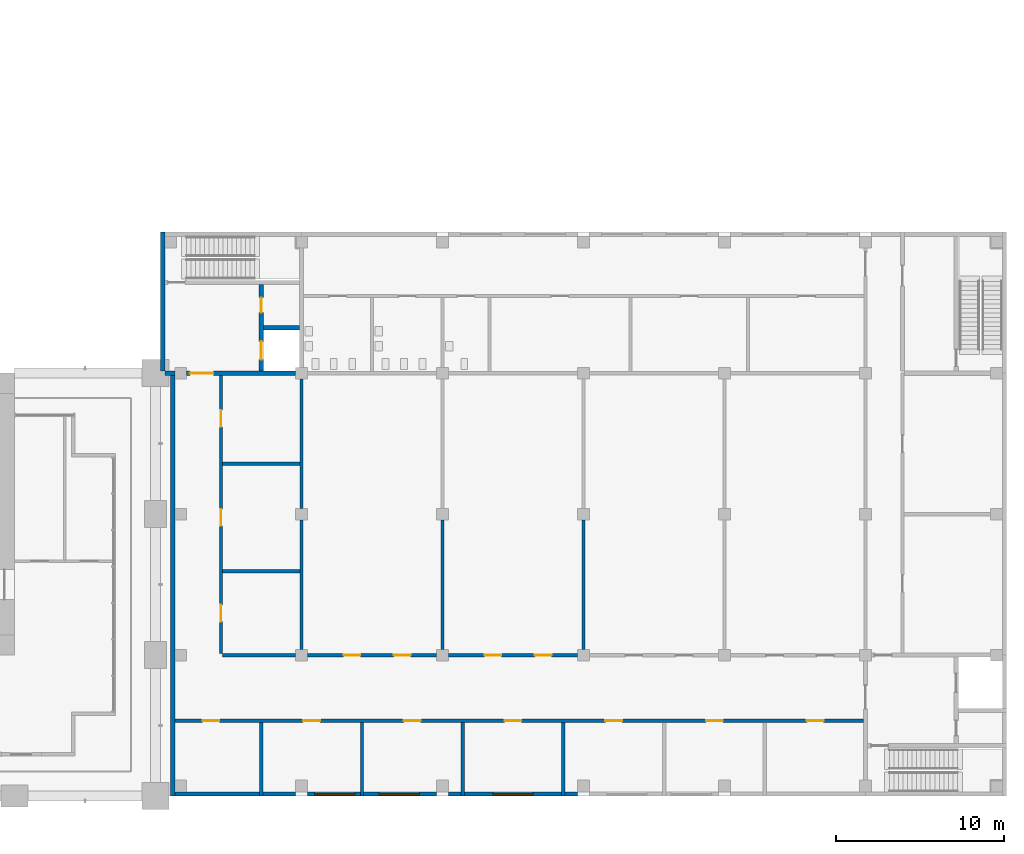
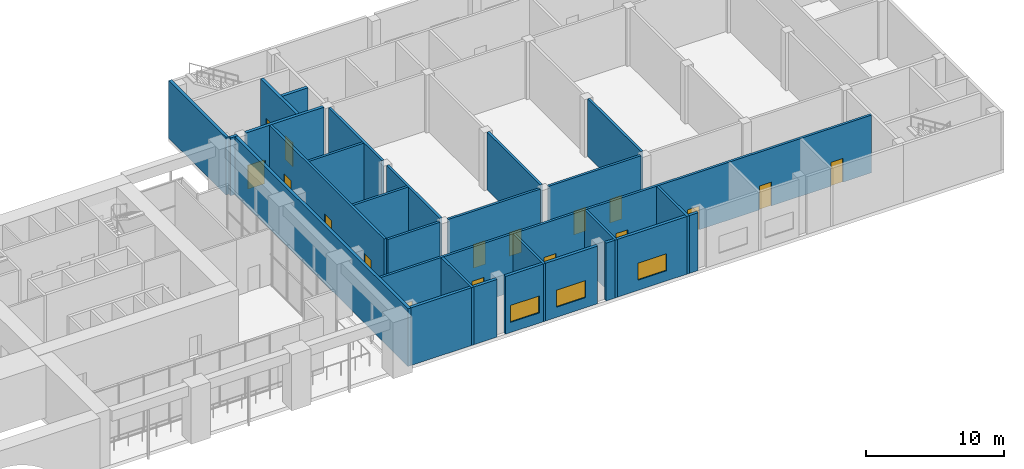
# One storey, part 14 of 26: 24 walls, 17 doors, 3 windows, 20 openings.
"""IFC4 building model written with IfcOpenShell, lengths in metres."""

from ifc_helpers import new_model, si_unit, direction, frame, frame_2d, origin, place, context, subcontext, project, spatial, rectangle, extrude, material, layer, layer_set, type_object, element, fill, save


model = new_model("IFC4")

# Units and contexts
model_context = context("Model", 3, precision=1e-05, world=origin(), true_north=direction((0.0, 1.0)))
body_context = subcontext(model_context, "Body", "Model", "MODEL_VIEW")
ifc_project = project(units=[si_unit("LENGTHUNIT", "METRE"), si_unit("AREAUNIT", "SQUARE_METRE"), si_unit("VOLUMEUNIT", "CUBIC_METRE"), si_unit("PLANEANGLEUNIT", "RADIAN"), si_unit("MASSUNIT", "GRAM", prefix="KILO")], contexts=[model_context])

# Site, building, storey
site_placement = place(None, origin())
site = spatial("IfcSite", under=ifc_project, at=site_placement, CompositionType="ELEMENT")
building_placement = place(site_placement, origin())
building = spatial("IfcBuilding", under=site, at=building_placement, Name="Vermilion Gate Residences", CompositionType="ELEMENT")
storey_placement = place(building_placement, frame((0.0, 0.0, 9.0)))
storey = spatial("IfcBuildingStorey", under=building, at=storey_placement, Name="L01", CompositionType="ELEMENT", Elevation=9.0)

# Wall
ifc_material_1 = material(Name="Insulated masonry", Category="masonry")
ifc_layer_1 = layer(ifc_material_1, 0.25)
ifc_layer_set_1 = layer_set([ifc_layer_1], Name="EXTERNAL WALL 250 MASONRY (MARKET HALL)")
wall_type_1 = type_object("IfcWallType", Name="EXTERNAL WALL 250 MASONRY (MARKET HALL)", PredefinedType="SOLIDWALL", material=ifc_layer_set_1)
wall_1_placement = place(storey_placement, frame((68.35009765625, 0.125, 0.0), z_axis=(0.0, 0.0, 1.0), x_axis=(1.0, 0.0, 0.0)))
element("IfcWall", 1, at=wall_1_placement, inside=storey, type_object=wall_type_1, Name="External wall L01-1", PredefinedType="SOLIDWALL", context=body_context, shape_type="SweptSolid", body=[
    extrude(rectangle(XDim=7.199951171875, YDim=0.25, at=frame_2d((3.60009765625, 0.0))), origin(), (0.0, 0.0, 1.0), 5.10009765625),
])

# Wall, openings, windows
wall_2_placement = place(storey_placement, frame((76.25, 0.125, 0.0), z_axis=(0.0, 0.0, 1.0), x_axis=(1.0, 0.0, 0.0)))
wall_2 = element("IfcWall", 2, at=wall_2_placement, inside=storey, type_object=wall_type_1, Name="External wall L01-2", PredefinedType="SOLIDWALL", context=body_context, shape_type="SweptSolid", body=[
    extrude(rectangle(XDim=7.699951171875, YDim=0.25, at=frame_2d((3.85009765625, 0.0))), origin(), (0.0, 0.0, 1.0), 5.10009765625),
])
opening_1_placement = place(wall_2_placement, frame((0.425048828125, 0.0, 0.89990234375)))
opening_1 = element("IfcOpeningElement", 3, at=opening_1_placement, cuts=wall_2, Name="Opening WH01001", PredefinedType="OPENING", context=body_context, shape_type="SweptSolid", body=[
    extrude(rectangle(XDim=2.39990234375, YDim=1.5, at=frame_2d((1.199951171875, 0.75))), frame((0.0, 0.135009765625, 0.0), z_axis=(0.0, -1.0, 0.0), x_axis=(1.0, 0.0, 0.0)), (0.0, 0.0, 1.0), 0.27001953125),
])
opening_2_placement = place(wall_2_placement, frame((4.27490234375, 0.0, 0.89990234375)))
opening_2 = element("IfcOpeningElement", 4, at=opening_2_placement, cuts=wall_2, Name="Opening WH01002", PredefinedType="OPENING", context=body_context, shape_type="SweptSolid", body=[
    extrude(rectangle(XDim=2.39990234375, YDim=1.5, at=frame_2d((1.199951171875, 0.75))), frame((0.0, 0.135009765625, 0.0), z_axis=(0.0, -1.0, 0.0), x_axis=(1.0, 0.0, 0.0)), (0.0, 0.0, 1.0), 0.27001953125),
])
ifc_material_2 = material(Name="Aluminium and glass", Category="aluminium")
window_type = type_object("IfcWindowType", Name="WINDOW 2400 X 1500 (MARKET HALL)", PartitioningType="DOUBLE_PANEL_VERTICAL", PredefinedType="WINDOW", material=ifc_material_2)
window_1_placement = place(opening_1_placement, origin())
window_1 = element("IfcWindow", 5, at=window_1_placement, inside=storey, type_object=window_type, Name="Window WH01001", OverallHeight=1.5, OverallWidth=2.39990234375, PartitioningType="DOUBLE_PANEL_VERTICAL", PredefinedType="WINDOW", context=body_context, shape_type="SweptSolid", body=[
    extrude(rectangle(XDim=2.39990234375, YDim=1.5, at=frame_2d((1.199951171875, 0.75))), frame((0.0, 0.030029296875, 0.0), z_axis=(0.0, -1.0, 0.0), x_axis=(1.0, 0.0, 0.0)), (0.0, 0.0, 1.0), 0.06005859375),
])
fill(opening_1, window_1)
window_2_placement = place(opening_2_placement, origin())
window_2 = element("IfcWindow", 6, at=window_2_placement, inside=storey, type_object=window_type, Name="Window WH01002", OverallHeight=1.5, OverallWidth=2.39990234375, PartitioningType="DOUBLE_PANEL_VERTICAL", PredefinedType="WINDOW", context=body_context, shape_type="SweptSolid", body=[
    extrude(rectangle(XDim=2.39990234375, YDim=1.5, at=frame_2d((1.199951171875, 0.75))), frame((0.0, 0.030029296875, 0.0), z_axis=(0.0, -1.0, 0.0), x_axis=(1.0, 0.0, 0.0)), (0.0, 0.0, 1.0), 0.06005859375),
])
fill(opening_2, window_2)

# Wall, opening, window
wall_3_placement = place(storey_placement, frame((84.64990234375, 0.125, 0.0), z_axis=(0.0, 0.0, 1.0), x_axis=(1.0, 0.0, 0.0)))
wall_3 = element("IfcWall", 7, at=wall_3_placement, inside=storey, type_object=wall_type_1, Name="External wall L01-3", PredefinedType="SOLIDWALL", context=body_context, shape_type="SweptSolid", body=[
    extrude(rectangle(XDim=7.7001953125, YDim=0.25, at=frame_2d((3.85009765625, 0.0))), origin(), (0.0, 0.0, 1.0), 5.10009765625),
])
opening_3_placement = place(wall_3_placement, frame((2.64990234375, 0.0, 0.89990234375)))
opening_3 = element("IfcOpeningElement", 8, at=opening_3_placement, cuts=wall_3, Name="Opening WH01003", PredefinedType="OPENING", context=body_context, shape_type="SweptSolid", body=[
    extrude(rectangle(XDim=2.39990234375, YDim=1.5, at=frame_2d((1.199951171875, 0.75))), frame((0.0, 0.135009765625, 0.0), z_axis=(0.0, -1.0, 0.0), x_axis=(1.0, 0.0, 0.0)), (0.0, 0.0, 1.0), 0.27001953125),
])
window_3_placement = place(opening_3_placement, origin())
window_3 = element("IfcWindow", 9, at=window_3_placement, inside=storey, type_object=window_type, Name="Window WH01003", OverallHeight=1.5, OverallWidth=2.39990234375, PartitioningType="DOUBLE_PANEL_VERTICAL", PredefinedType="WINDOW", context=body_context, shape_type="SweptSolid", body=[
    extrude(rectangle(XDim=2.39990234375, YDim=1.5, at=frame_2d((1.199951171875, 0.75))), frame((0.0, 0.030029296875, 0.0), z_axis=(0.0, -1.0, 0.0), x_axis=(1.0, 0.0, 0.0)), (0.0, 0.0, 1.0), 0.06005859375),
])
fill(opening_3, window_3)

# Wall
wall_4_placement = place(storey_placement, frame((68.22509765625, 0.0, 0.0), z_axis=(0.0, 0.0, 1.0), x_axis=(0.0, 1.0, 0.0)))
element("IfcWall", 10, at=wall_4_placement, inside=storey, type_object=wall_type_1, Name="External wall L01-37", PredefinedType="SOLIDWALL", context=body_context, shape_type="SweptSolid", body=[
    extrude(rectangle(XDim=25.074951171875, YDim=0.25, at=frame_2d((12.53759765625, 0.0))), origin(), (0.0, 0.0, 1.0), 5.10009765625),
])

# Wall, openings, doors
ifc_material_3 = material(Name="Masonry", Category="masonry")
ifc_layer_2 = layer(ifc_material_3, 0.199951171875)
ifc_layer_set_2 = layer_set([ifc_layer_2], Name="PARTITION 200 MASONRY EI 60 (MARKET HALL)")
wall_type_2 = type_object("IfcWallType", Name="PARTITION 200 MASONRY EI 60 (MARKET HALL)", PredefinedType="PARTITIONING", material=ifc_layer_set_2)
wall_5_placement = place(storey_placement, frame((68.35009765625, 4.5, 0.0), z_axis=(0.0, 0.0, 1.0), x_axis=(1.0, 0.0, 0.0)))
wall_5 = element("IfcWall", 11, at=wall_5_placement, inside=storey, type_object=wall_type_2, Name="Partition wall L01-8", PredefinedType="PARTITIONING", context=body_context, shape_type="SweptSolid", body=[
    extrude(rectangle(XDim=41.02490234375, YDim=0.199951171875, at=frame_2d((20.512451171875, 0.0))), origin(), (0.0, 0.0, 1.0), 5.10009765625),
])
opening_4_placement = place(wall_5_placement, frame((1.64990234375, 0.0, 0.0)))
opening_4 = element("IfcOpeningElement", 12, at=opening_4_placement, cuts=wall_5, Name="Opening DH01002", PredefinedType="OPENING", context=body_context, shape_type="SweptSolid", body=[
    extrude(rectangle(XDim=1.0, YDim=2.10009765625, at=frame_2d((0.5, 1.050048828125))), frame((0.0, 0.10986328125, 0.0), z_axis=(0.0, -1.0, 0.0), x_axis=(1.0, 0.0, 0.0)), (0.0, 0.0, 1.0), 0.219970703125),
])
opening_5_placement = place(wall_5_placement, frame((7.64990234375, 0.0, 0.0)))
opening_5 = element("IfcOpeningElement", 13, at=opening_5_placement, cuts=wall_5, Name="Opening DH01003", PredefinedType="OPENING", context=body_context, shape_type="SweptSolid", body=[
    extrude(rectangle(XDim=1.0, YDim=2.10009765625, at=frame_2d((0.5, 1.050048828125))), frame((0.0, 0.10986328125, 0.0), z_axis=(0.0, -1.0, 0.0), x_axis=(1.0, 0.0, 0.0)), (0.0, 0.0, 1.0), 0.219970703125),
])
opening_6_placement = place(wall_5_placement, frame((13.64990234375, 0.0, 0.0)))
opening_6 = element("IfcOpeningElement", 14, at=opening_6_placement, cuts=wall_5, Name="Opening DH01004", PredefinedType="OPENING", context=body_context, shape_type="SweptSolid", body=[
    extrude(rectangle(XDim=1.0, YDim=2.10009765625, at=frame_2d((0.5, 1.050048828125))), frame((0.0, 0.10986328125, 0.0), z_axis=(0.0, -1.0, 0.0), x_axis=(1.0, 0.0, 0.0)), (0.0, 0.0, 1.0), 0.219970703125),
])
opening_7_placement = place(wall_5_placement, frame((19.64990234375, 0.0, 0.0)))
opening_7 = element("IfcOpeningElement", 15, at=opening_7_placement, cuts=wall_5, Name="Opening DH01005", PredefinedType="OPENING", context=body_context, shape_type="SweptSolid", body=[
    extrude(rectangle(XDim=1.0, YDim=2.10009765625, at=frame_2d((0.5, 1.050048828125))), frame((0.0, 0.10986328125, 0.0), z_axis=(0.0, -1.0, 0.0), x_axis=(1.0, 0.0, 0.0)), (0.0, 0.0, 1.0), 0.219970703125),
])
opening_8_placement = place(wall_5_placement, frame((25.64990234375, 0.0, 0.0)))
opening_8 = element("IfcOpeningElement", 16, at=opening_8_placement, cuts=wall_5, Name="Opening DH01006", PredefinedType="OPENING", context=body_context, shape_type="SweptSolid", body=[
    extrude(rectangle(XDim=1.0, YDim=2.10009765625, at=frame_2d((0.5, 1.050048828125))), frame((0.0, 0.10986328125, 0.0), z_axis=(0.0, -1.0, 0.0), x_axis=(1.0, 0.0, 0.0)), (0.0, 0.0, 1.0), 0.219970703125),
])
opening_9_placement = place(wall_5_placement, frame((31.64990234375, 0.0, 0.0)))
opening_9 = element("IfcOpeningElement", 17, at=opening_9_placement, cuts=wall_5, Name="Opening DH01007", PredefinedType="OPENING", context=body_context, shape_type="SweptSolid", body=[
    extrude(rectangle(XDim=1.0, YDim=2.10009765625, at=frame_2d((0.5, 1.050048828125))), frame((0.0, 0.10986328125, 0.0), z_axis=(0.0, -1.0, 0.0), x_axis=(1.0, 0.0, 0.0)), (0.0, 0.0, 1.0), 0.219970703125),
])
opening_10_placement = place(wall_5_placement, frame((37.64990234375, 0.0, 0.0)))
opening_10 = element("IfcOpeningElement", 18, at=opening_10_placement, cuts=wall_5, Name="Opening DH01008", PredefinedType="OPENING", context=body_context, shape_type="SweptSolid", body=[
    extrude(rectangle(XDim=1.0, YDim=2.10009765625, at=frame_2d((0.5, 1.050048828125))), frame((0.0, 0.10986328125, 0.0), z_axis=(0.0, -1.0, 0.0), x_axis=(1.0, 0.0, 0.0)), (0.0, 0.0, 1.0), 0.219970703125),
])
ifc_material_4 = material(Name="Steel", Category="steel")
door_type_1 = type_object("IfcDoorType", Name="FIRE DOOR FD30 1000 X 2100 (MARKET HALL)", OperationType="SINGLE_SWING_LEFT", PredefinedType="DOOR", material=ifc_material_4)
door_1_placement = place(opening_4_placement, frame((1.0, 0.0, 0.0), z_axis=(0.0, 0.0, 1.0), x_axis=(-1.0, 0.0, 0.0)))
door_1 = element("IfcDoor", 19, at=door_1_placement, inside=storey, type_object=door_type_1, Name="Fire door DH01002", OperationType="SINGLE_SWING_RIGHT", OverallHeight=2.10009765625, OverallWidth=1.0, PredefinedType="DOOR", context=body_context, shape_type="SweptSolid", body=[
    extrude(rectangle(XDim=1.0, YDim=2.10009765625, at=frame_2d((0.5, 1.050048828125))), frame((0.0, 0.02490234375, 0.0), z_axis=(0.0, -1.0, 0.0), x_axis=(1.0, 0.0, 0.0)), (0.0, 0.0, 1.0), 0.050048828125),
])
fill(opening_4, door_1)
door_2_placement = place(opening_5_placement, frame((1.0, 0.0, 0.0), z_axis=(0.0, 0.0, 1.0), x_axis=(-1.0, 0.0, 0.0)))
door_2 = element("IfcDoor", 20, at=door_2_placement, inside=storey, type_object=door_type_1, Name="Fire door DH01003", OperationType="SINGLE_SWING_RIGHT", OverallHeight=2.10009765625, OverallWidth=1.0, PredefinedType="DOOR", context=body_context, shape_type="SweptSolid", body=[
    extrude(rectangle(XDim=1.0, YDim=2.10009765625, at=frame_2d((0.5, 1.050048828125))), frame((0.0, 0.02490234375, 0.0), z_axis=(0.0, -1.0, 0.0), x_axis=(1.0, 0.0, 0.0)), (0.0, 0.0, 1.0), 0.050048828125),
])
fill(opening_5, door_2)
door_3_placement = place(opening_6_placement, frame((1.0, 0.0, 0.0), z_axis=(0.0, 0.0, 1.0), x_axis=(-1.0, 0.0, 0.0)))
door_3 = element("IfcDoor", 21, at=door_3_placement, inside=storey, type_object=door_type_1, Name="Fire door DH01004", OperationType="SINGLE_SWING_RIGHT", OverallHeight=2.10009765625, OverallWidth=1.0, PredefinedType="DOOR", context=body_context, shape_type="SweptSolid", body=[
    extrude(rectangle(XDim=1.0, YDim=2.10009765625, at=frame_2d((0.5, 1.050048828125))), frame((0.0, 0.02490234375, 0.0), z_axis=(0.0, -1.0, 0.0), x_axis=(1.0, 0.0, 0.0)), (0.0, 0.0, 1.0), 0.050048828125),
])
fill(opening_6, door_3)
door_4_placement = place(opening_7_placement, frame((1.0, 0.0, 0.0), z_axis=(0.0, 0.0, 1.0), x_axis=(-1.0, 0.0, 0.0)))
door_4 = element("IfcDoor", 22, at=door_4_placement, inside=storey, type_object=door_type_1, Name="Fire door DH01005", OperationType="SINGLE_SWING_RIGHT", OverallHeight=2.10009765625, OverallWidth=1.0, PredefinedType="DOOR", context=body_context, shape_type="SweptSolid", body=[
    extrude(rectangle(XDim=1.0, YDim=2.10009765625, at=frame_2d((0.5, 1.050048828125))), frame((0.0, 0.02490234375, 0.0), z_axis=(0.0, -1.0, 0.0), x_axis=(1.0, 0.0, 0.0)), (0.0, 0.0, 1.0), 0.050048828125),
])
fill(opening_7, door_4)
door_5_placement = place(opening_8_placement, frame((1.0, 0.0, 0.0), z_axis=(0.0, 0.0, 1.0), x_axis=(-1.0, 0.0, 0.0)))
door_5 = element("IfcDoor", 23, at=door_5_placement, inside=storey, type_object=door_type_1, Name="Fire door DH01006", OperationType="SINGLE_SWING_RIGHT", OverallHeight=2.10009765625, OverallWidth=1.0, PredefinedType="DOOR", context=body_context, shape_type="SweptSolid", body=[
    extrude(rectangle(XDim=1.0, YDim=2.10009765625, at=frame_2d((0.5, 1.050048828125))), frame((0.0, 0.02490234375, 0.0), z_axis=(0.0, -1.0, 0.0), x_axis=(1.0, 0.0, 0.0)), (0.0, 0.0, 1.0), 0.050048828125),
])
fill(opening_8, door_5)
door_6_placement = place(opening_9_placement, frame((1.0, 0.0, 0.0), z_axis=(0.0, 0.0, 1.0), x_axis=(-1.0, 0.0, 0.0)))
door_6 = element("IfcDoor", 24, at=door_6_placement, inside=storey, type_object=door_type_1, Name="Fire door DH01007", OperationType="SINGLE_SWING_RIGHT", OverallHeight=2.10009765625, OverallWidth=1.0, PredefinedType="DOOR", context=body_context, shape_type="SweptSolid", body=[
    extrude(rectangle(XDim=1.0, YDim=2.10009765625, at=frame_2d((0.5, 1.050048828125))), frame((0.0, 0.02490234375, 0.0), z_axis=(0.0, -1.0, 0.0), x_axis=(1.0, 0.0, 0.0)), (0.0, 0.0, 1.0), 0.050048828125),
])
fill(opening_9, door_6)
door_7_placement = place(opening_10_placement, frame((1.0, 0.0, 0.0), z_axis=(0.0, 0.0, 1.0), x_axis=(-1.0, 0.0, 0.0)))
door_7 = element("IfcDoor", 25, at=door_7_placement, inside=storey, type_object=door_type_1, Name="Fire door DH01008", OperationType="SINGLE_SWING_LEFT", OverallHeight=2.10009765625, OverallWidth=1.0, PredefinedType="DOOR", context=body_context, shape_type="SweptSolid", body=[
    extrude(rectangle(XDim=1.0, YDim=2.10009765625, at=frame_2d((0.5, 1.050048828125))), frame((0.0, 0.02490234375, 0.0), z_axis=(0.0, -1.0, 0.0), x_axis=(1.0, 0.0, 0.0)), (0.0, 0.0, 1.0), 0.050048828125),
])
fill(opening_10, door_7)

# Wall
wall_6_placement = place(storey_placement, frame((71.199951171875, 8.39990234375, 0.0), z_axis=(0.0, 0.0, 1.0), x_axis=(1.0, 0.0, 0.0)))
element("IfcWall", 26, at=wall_6_placement, inside=storey, type_object=wall_type_2, Name="Partition wall L01-10", PredefinedType="PARTITIONING", context=body_context, shape_type="SweptSolid", body=[
    extrude(rectangle(XDim=4.35009765625, YDim=0.199951171875, at=frame_2d((2.175048828125, 0.0))), origin(), (0.0, 0.0, 1.0), 5.10009765625),
])

# Wall, openings, doors
wall_7_placement = place(storey_placement, frame((76.25, 8.39990234375, 0.0), z_axis=(0.0, 0.0, 1.0), x_axis=(1.0, 0.0, 0.0)))
wall_7 = element("IfcWall", 27, at=wall_7_placement, inside=storey, type_object=wall_type_2, Name="Partition wall L01-11", PredefinedType="PARTITIONING", context=body_context, shape_type="SweptSolid", body=[
    extrude(rectangle(XDim=7.699951171875, YDim=0.199951171875, at=frame_2d((3.85009765625, 0.0))), origin(), (0.0, 0.0, 1.0), 5.10009765625),
])
opening_11_placement = place(wall_7_placement, frame((2.14990234375, 0.0, 0.0)))
opening_11 = element("IfcOpeningElement", 28, at=opening_11_placement, cuts=wall_7, Name="Opening DH01009", PredefinedType="OPENING", context=body_context, shape_type="SweptSolid", body=[
    extrude(rectangle(XDim=1.0, YDim=2.10009765625, at=frame_2d((0.5, 1.050048828125))), frame((0.0, 0.10986328125, 0.0), z_axis=(0.0, -1.0, 0.0), x_axis=(1.0, 0.0, 0.0)), (0.0, 0.0, 1.0), 0.219970703125),
])
opening_12_placement = place(wall_7_placement, frame((5.14990234375, 0.0, 0.0)))
opening_12 = element("IfcOpeningElement", 29, at=opening_12_placement, cuts=wall_7, Name="Opening DH01010", PredefinedType="OPENING", context=body_context, shape_type="SweptSolid", body=[
    extrude(rectangle(XDim=1.0, YDim=2.10009765625, at=frame_2d((0.5, 1.050048828125))), frame((0.0, 0.10986328125, 0.0), z_axis=(0.0, -1.0, 0.0), x_axis=(1.0, 0.0, 0.0)), (0.0, 0.0, 1.0), 0.219970703125),
])
door_8_placement = place(opening_11_placement, origin())
door_8 = element("IfcDoor", 30, at=door_8_placement, inside=storey, type_object=door_type_1, Name="Fire door DH01009", OperationType="SINGLE_SWING_LEFT", OverallHeight=2.10009765625, OverallWidth=1.0, PredefinedType="DOOR", context=body_context, shape_type="SweptSolid", body=[
    extrude(rectangle(XDim=1.0, YDim=2.10009765625, at=frame_2d((0.5, 1.050048828125))), frame((0.0, 0.02490234375, 0.0), z_axis=(0.0, -1.0, 0.0), x_axis=(1.0, 0.0, 0.0)), (0.0, 0.0, 1.0), 0.050048828125),
])
fill(opening_11, door_8)
door_9_placement = place(opening_12_placement, frame((1.0, 0.0, 0.0), z_axis=(0.0, 0.0, 1.0), x_axis=(-1.0, 0.0, 0.0)))
door_9 = element("IfcDoor", 31, at=door_9_placement, inside=storey, type_object=door_type_1, Name="Fire door DH01010", OperationType="SINGLE_SWING_LEFT", OverallHeight=2.10009765625, OverallWidth=1.0, PredefinedType="DOOR", context=body_context, shape_type="SweptSolid", body=[
    extrude(rectangle(XDim=1.0, YDim=2.10009765625, at=frame_2d((0.5, 1.050048828125))), frame((0.0, 0.02490234375, 0.0), z_axis=(0.0, -1.0, 0.0), x_axis=(1.0, 0.0, 0.0)), (0.0, 0.0, 1.0), 0.050048828125),
])
fill(opening_12, door_9)

wall_8_placement = place(storey_placement, frame((84.64990234375, 8.39990234375, 0.0), z_axis=(0.0, 0.0, 1.0), x_axis=(1.0, 0.0, 0.0)))
wall_8 = element("IfcWall", 32, at=wall_8_placement, inside=storey, type_object=wall_type_2, Name="Partition wall L01-12", PredefinedType="PARTITIONING", context=body_context, shape_type="SweptSolid", body=[
    extrude(rectangle(XDim=7.7001953125, YDim=0.199951171875, at=frame_2d((3.85009765625, 0.0))), origin(), (0.0, 0.0, 1.0), 5.10009765625),
])
opening_13_placement = place(wall_8_placement, frame((2.14990234375, 0.0, 0.0)))
opening_13 = element("IfcOpeningElement", 33, at=opening_13_placement, cuts=wall_8, Name="Opening DH01011", PredefinedType="OPENING", context=body_context, shape_type="SweptSolid", body=[
    extrude(rectangle(XDim=1.0, YDim=2.10009765625, at=frame_2d((0.5, 1.050048828125))), frame((0.0, 0.10986328125, 0.0), z_axis=(0.0, -1.0, 0.0), x_axis=(1.0, 0.0, 0.0)), (0.0, 0.0, 1.0), 0.219970703125),
])
opening_14_placement = place(wall_8_placement, frame((5.14990234375, 0.0, 0.0)))
opening_14 = element("IfcOpeningElement", 34, at=opening_14_placement, cuts=wall_8, Name="Opening DH01012", PredefinedType="OPENING", context=body_context, shape_type="SweptSolid", body=[
    extrude(rectangle(XDim=1.0, YDim=2.10009765625, at=frame_2d((0.5, 1.050048828125))), frame((0.0, 0.10986328125, 0.0), z_axis=(0.0, -1.0, 0.0), x_axis=(1.0, 0.0, 0.0)), (0.0, 0.0, 1.0), 0.219970703125),
])
door_10_placement = place(opening_13_placement, origin())
door_10 = element("IfcDoor", 35, at=door_10_placement, inside=storey, type_object=door_type_1, Name="Fire door DH01011", OperationType="SINGLE_SWING_LEFT", OverallHeight=2.10009765625, OverallWidth=1.0, PredefinedType="DOOR", context=body_context, shape_type="SweptSolid", body=[
    extrude(rectangle(XDim=1.0, YDim=2.10009765625, at=frame_2d((0.5, 1.050048828125))), frame((0.0, 0.02490234375, 0.0), z_axis=(0.0, -1.0, 0.0), x_axis=(1.0, 0.0, 0.0)), (0.0, 0.0, 1.0), 0.050048828125),
])
fill(opening_13, door_10)
door_11_placement = place(opening_14_placement, frame((1.0, 0.0, 0.0), z_axis=(0.0, 0.0, 1.0), x_axis=(-1.0, 0.0, 0.0)))
door_11 = element("IfcDoor", 36, at=door_11_placement, inside=storey, type_object=door_type_1, Name="Fire door DH01012", OperationType="SINGLE_SWING_LEFT", OverallHeight=2.10009765625, OverallWidth=1.0, PredefinedType="DOOR", context=body_context, shape_type="SweptSolid", body=[
    extrude(rectangle(XDim=1.0, YDim=2.10009765625, at=frame_2d((0.5, 1.050048828125))), frame((0.0, 0.02490234375, 0.0), z_axis=(0.0, -1.0, 0.0), x_axis=(1.0, 0.0, 0.0)), (0.0, 0.0, 1.0), 0.050048828125),
])
fill(opening_14, door_11)

# Walls
for number, where, z_axis, x_axis, name in (
    (37, (71.199951171875, 13.39990234375, 0.0), (0.0, 0.0, 1.0), (1.0, 0.0, 0.0), "Partition wall L01-16"),
    (38, (71.199951171875, 19.800048828125, 0.0), (0.0, 0.0, 1.0), (1.0, 0.0, 0.0), "Partition wall L01-18"),
):
    element("IfcWall", number, at=place(storey_placement, frame(where, z_axis=z_axis, x_axis=x_axis)), inside=storey, type_object=wall_type_2, Name=name, PredefinedType="PARTITIONING", context=body_context, shape_type="SweptSolid", body=[
        extrude(rectangle(XDim=4.60009765625, YDim=0.199951171875, at=frame_2d((2.300048828125, 0.0))), origin(), (0.0, 0.0, 1.0), 5.10009765625),
    ])

# Wall, openings, doors
wall_9_placement = place(storey_placement, frame((71.10009765625, 8.5, 0.0), z_axis=(0.0, 0.0, 1.0), x_axis=(0.0, 1.0, 0.0)))
wall_9 = element("IfcWall", 39, at=wall_9_placement, inside=storey, type_object=wall_type_2, Name="Partition wall L01-38", PredefinedType="PARTITIONING", context=body_context, shape_type="SweptSolid", body=[
    extrude(rectangle(XDim=16.574951171875, YDim=0.199951171875, at=frame_2d((8.28759765625, 0.0))), origin(), (0.0, 0.0, 1.0), 5.10009765625),
])
opening_15_placement = place(wall_9_placement, frame((1.89990234375, 0.0, 0.0)))
opening_15 = element("IfcOpeningElement", 40, at=opening_15_placement, cuts=wall_9, Name="Opening DH01027", PredefinedType="OPENING", context=body_context, shape_type="SweptSolid", body=[
    extrude(rectangle(XDim=1.0, YDim=2.10009765625, at=frame_2d((0.5, 1.050048828125))), frame((0.0, 0.10986328125, 0.0), z_axis=(0.0, -1.0, 0.0), x_axis=(1.0, 0.0, 0.0)), (0.0, 0.0, 1.0), 0.219970703125),
])
opening_16_placement = place(wall_9_placement, frame((7.60009765625, 0.0, 0.0)))
opening_16 = element("IfcOpeningElement", 41, at=opening_16_placement, cuts=wall_9, Name="Opening DH01028", PredefinedType="OPENING", context=body_context, shape_type="SweptSolid", body=[
    extrude(rectangle(XDim=1.0, YDim=2.10009765625, at=frame_2d((0.5, 1.050048828125))), frame((0.0, 0.10986328125, 0.0), z_axis=(0.0, -1.0, 0.0), x_axis=(1.0, 0.0, 0.0)), (0.0, 0.0, 1.0), 0.219970703125),
])
opening_17_placement = place(wall_9_placement, frame((13.5, 0.0, 0.0)))
opening_17 = element("IfcOpeningElement", 42, at=opening_17_placement, cuts=wall_9, Name="Opening DH01029", PredefinedType="OPENING", context=body_context, shape_type="SweptSolid", body=[
    extrude(rectangle(XDim=1.0, YDim=2.10009765625, at=frame_2d((0.5, 1.050048828125))), frame((0.0, 0.10986328125, 0.0), z_axis=(0.0, -1.0, 0.0), x_axis=(1.0, 0.0, 0.0)), (0.0, 0.0, 1.0), 0.219970703125),
])
door_12_placement = place(opening_15_placement, frame((1.0, 0.0, 0.0), z_axis=(0.0, 0.0, 1.0), x_axis=(-1.0, 0.0, 0.0)))
door_12 = element("IfcDoor", 43, at=door_12_placement, inside=storey, type_object=door_type_1, Name="Fire door DH01027", OperationType="SINGLE_SWING_RIGHT", OverallHeight=2.10009765625, OverallWidth=1.0, PredefinedType="DOOR", context=body_context, shape_type="SweptSolid", body=[
    extrude(rectangle(XDim=1.0, YDim=2.10009765625, at=frame_2d((0.5, 1.050048828125))), frame((0.0, 0.02490234375, 0.0), z_axis=(0.0, -1.0, 0.0), x_axis=(1.0, 0.0, 0.0)), (0.0, 0.0, 1.0), 0.050048828125),
])
fill(opening_15, door_12)
door_13_placement = place(opening_16_placement, frame((1.0, 0.0, 0.0), z_axis=(0.0, 0.0, 1.0), x_axis=(-1.0, 0.0, 0.0)))
door_13 = element("IfcDoor", 44, at=door_13_placement, inside=storey, type_object=door_type_1, Name="Fire door DH01028", OperationType="SINGLE_SWING_LEFT", OverallHeight=2.10009765625, OverallWidth=1.0, PredefinedType="DOOR", context=body_context, shape_type="SweptSolid", body=[
    extrude(rectangle(XDim=1.0, YDim=2.10009765625, at=frame_2d((0.5, 1.050048828125))), frame((0.0, 0.02490234375, 0.0), z_axis=(0.0, -1.0, 0.0), x_axis=(1.0, 0.0, 0.0)), (0.0, 0.0, 1.0), 0.050048828125),
])
fill(opening_16, door_13)
door_14_placement = place(opening_17_placement, frame((1.0, 0.0, 0.0), z_axis=(0.0, 0.0, 1.0), x_axis=(-1.0, 0.0, 0.0)))
door_14 = element("IfcDoor", 45, at=door_14_placement, inside=storey, type_object=door_type_1, Name="Fire door DH01029", OperationType="SINGLE_SWING_LEFT", OverallHeight=2.10009765625, OverallWidth=1.0, PredefinedType="DOOR", context=body_context, shape_type="SweptSolid", body=[
    extrude(rectangle(XDim=1.0, YDim=2.10009765625, at=frame_2d((0.5, 1.050048828125))), frame((0.0, 0.02490234375, 0.0), z_axis=(0.0, -1.0, 0.0), x_axis=(1.0, 0.0, 0.0)), (0.0, 0.0, 1.0), 0.050048828125),
])
fill(opening_17, door_14)

# Walls
wall_10_placement = place(storey_placement, frame((73.5, 0.0, 0.0), z_axis=(0.0, 0.0, 1.0), x_axis=(0.0, 1.0, 0.0)))
element("IfcWall", 46, at=wall_10_placement, inside=storey, type_object=wall_type_2, Name="Partition wall L01-39", PredefinedType="PARTITIONING", context=body_context, shape_type="SweptSolid", body=[
    extrude(rectangle(XDim=4.39990234375, YDim=0.199951171875, at=frame_2d((2.199951171875, 0.0))), origin(), (0.0, 0.0, 1.0), 5.10009765625),
])
wall_11_placement = place(storey_placement, frame((75.89990234375, 8.75, 0.0), z_axis=(0.0, 0.0, 1.0), x_axis=(0.0, 1.0, 0.0)))
element("IfcWall", 47, at=wall_11_placement, inside=storey, type_object=wall_type_2, Name="Partition wall L01-41", PredefinedType="PARTITIONING", context=body_context, shape_type="SweptSolid", body=[
    extrude(rectangle(XDim=7.699951171875, YDim=0.199951171875, at=frame_2d((3.85009765625, 0.0))), origin(), (0.0, 0.0, 1.0), 5.10009765625),
])
wall_12_placement = place(storey_placement, frame((75.89990234375, 17.14990234375, 0.0), z_axis=(0.0, 0.0, 1.0), x_axis=(0.0, 1.0, 0.0)))
element("IfcWall", 48, at=wall_12_placement, inside=storey, type_object=wall_type_2, Name="Partition wall L01-42", PredefinedType="PARTITIONING", context=body_context, shape_type="SweptSolid", body=[
    extrude(rectangle(XDim=7.7001953125, YDim=0.199951171875, at=frame_2d((3.85009765625, 0.0))), origin(), (0.0, 0.0, 1.0), 5.10009765625),
])
wall_13_placement = place(storey_placement, frame((79.5, 0.0, 0.0), z_axis=(0.0, 0.0, 1.0), x_axis=(0.0, 1.0, 0.0)))
element("IfcWall", 49, at=wall_13_placement, inside=storey, type_object=wall_type_2, Name="Partition wall L01-44", PredefinedType="PARTITIONING", context=body_context, shape_type="SweptSolid", body=[
    extrude(rectangle(XDim=4.39990234375, YDim=0.199951171875, at=frame_2d((2.199951171875, 0.0))), origin(), (0.0, 0.0, 1.0), 5.10009765625),
])
wall_14_placement = place(storey_placement, frame((84.300048828125, 8.75, 0.0), z_axis=(0.0, 0.0, 1.0), x_axis=(0.0, 1.0, 0.0)))
element("IfcWall", 50, at=wall_14_placement, inside=storey, type_object=wall_type_2, Name="Partition wall L01-46", PredefinedType="PARTITIONING", context=body_context, shape_type="SweptSolid", body=[
    extrude(rectangle(XDim=7.699951171875, YDim=0.199951171875, at=frame_2d((3.85009765625, 0.0))), origin(), (0.0, 0.0, 1.0), 5.10009765625),
])
for number, where, z_axis, x_axis, name in (
    (51, (85.5, 0.0, 0.0), (0.0, 0.0, 1.0), (0.0, 1.0, 0.0), "Partition wall L01-49"),
    (52, (91.5, 0.0, 0.0), (0.0, 0.0, 1.0), (0.0, 1.0, 0.0), "Partition wall L01-51"),
):
    element("IfcWall", number, at=place(storey_placement, frame(where, z_axis=z_axis, x_axis=x_axis)), inside=storey, type_object=wall_type_2, Name=name, PredefinedType="PARTITIONING", context=body_context, shape_type="SweptSolid", body=[
        extrude(rectangle(XDim=4.39990234375, YDim=0.199951171875, at=frame_2d((2.199951171875, 0.0))), origin(), (0.0, 0.0, 1.0), 5.10009765625),
    ])
wall_15_placement = place(storey_placement, frame((92.699951171875, 8.75, 0.0), z_axis=(0.0, 0.0, 1.0), x_axis=(0.0, 1.0, 0.0)))
element("IfcWall", 53, at=wall_15_placement, inside=storey, type_object=wall_type_2, Name="Partition wall L01-52", PredefinedType="PARTITIONING", context=body_context, shape_type="SweptSolid", body=[
    extrude(rectangle(XDim=7.699951171875, YDim=0.199951171875, at=frame_2d((3.85009765625, 0.0))), origin(), (0.0, 0.0, 1.0), 5.10009765625),
])
ifc_material_5 = material(Name="Concrete C45", Category="concrete")
ifc_layer_3 = layer(ifc_material_5, 0.25)
ifc_layer_set_3 = layer_set([ifc_layer_3], Name="RC CORE WALL 250 C45 (MARKET HALL)")
wall_type_3 = type_object("IfcWallType", Name="RC CORE WALL 250 C45 (MARKET HALL)", PredefinedType="SHEAR", material=ifc_layer_set_3)
wall_16_placement = place(storey_placement, frame((67.75, 25.199951171875, 0.0), z_axis=(0.0, 0.0, 1.0), x_axis=(1.0, 0.0, 0.0)))
element("IfcWall", 54, at=wall_16_placement, inside=storey, type_object=wall_type_3, Name="Core wall L01-19", PredefinedType="SHEAR", context=body_context, shape_type="SweptSolid", body=[
    extrude(rectangle(XDim=0.60009765625, YDim=0.25, at=frame_2d((0.300048828125, 0.0))), origin(), (0.0, 0.0, 1.0), 5.10009765625),
])

# Wall, opening, door
wall_17_placement = place(storey_placement, frame((69.050048828125, 25.199951171875, 0.0), z_axis=(0.0, 0.0, 1.0), x_axis=(1.0, 0.0, 0.0)))
wall_17 = element("IfcWall", 55, at=wall_17_placement, inside=storey, type_object=wall_type_3, Name="Core wall L01-20", PredefinedType="SHEAR", context=body_context, shape_type="SweptSolid", body=[
    extrude(rectangle(XDim=6.5, YDim=0.25, at=frame_2d((3.25, 0.0))), origin(), (0.0, 0.0, 1.0), 5.10009765625),
])
opening_18_placement = place(wall_17_placement, frame((0.199951171875, 0.0, 0.0)))
opening_18 = element("IfcOpeningElement", 56, at=opening_18_placement, cuts=wall_17, Name="Opening DH01030", PredefinedType="OPENING", context=body_context, shape_type="SweptSolid", body=[
    extrude(rectangle(XDim=1.39990234375, YDim=2.10009765625, at=frame_2d((0.699951171875, 1.050048828125))), frame((0.0, 0.135009765625, 0.0), z_axis=(0.0, -1.0, 0.0), x_axis=(1.0, 0.0, 0.0)), (0.0, 0.0, 1.0), 0.27001953125),
])
ifc_material_6 = material(Name="Steel", Category="steel")
door_type_2 = type_object("IfcDoorType", Name="FIRE DOOR FD60 1400 X 2100 DOUBLE (MARKET HALL)", OperationType="DOUBLE_DOOR_SINGLE_SWING", PredefinedType="DOOR", material=ifc_material_6)
door_15_placement = place(opening_18_placement, origin())
door_15 = element("IfcDoor", 57, at=door_15_placement, inside=storey, type_object=door_type_2, Name="Lobby fire door DH01030", OperationType="DOUBLE_DOOR_SINGLE_SWING", OverallHeight=2.10009765625, OverallWidth=1.39990234375, PredefinedType="DOOR", context=body_context, shape_type="SweptSolid", body=[
    extrude(rectangle(XDim=1.39990234375, YDim=2.10009765625, at=frame_2d((0.699951171875, 1.050048828125))), frame((0.0, 0.02490234375, 0.0), z_axis=(0.0, -1.0, 0.0), x_axis=(1.0, 0.0, 0.0)), (0.0, 0.0, 1.0), 0.050048828125),
])
fill(opening_18, door_15)

# Walls
wall_18_placement = place(storey_placement, frame((73.625, 27.89990234375, 0.0), z_axis=(0.0, 0.0, 1.0), x_axis=(1.0, 0.0, 0.0)))
element("IfcWall", 58, at=wall_18_placement, inside=storey, type_object=wall_type_3, Name="Core wall L01-26", PredefinedType="SHEAR", context=body_context, shape_type="SweptSolid", body=[
    extrude(rectangle(XDim=2.14990234375, YDim=0.25, at=frame_2d((1.074951171875, 0.0))), origin(), (0.0, 0.0, 1.0), 5.10009765625),
])
wall_19_placement = place(storey_placement, frame((67.625, 25.324951171875, 0.0), z_axis=(0.0, 0.0, 1.0), x_axis=(0.0, 1.0, 0.0)))
element("IfcWall", 59, at=wall_19_placement, inside=storey, type_object=wall_type_3, Name="Core wall L01-36", PredefinedType="SHEAR", context=body_context, shape_type="SweptSolid", body=[
    extrude(rectangle(XDim=8.275146484375, YDim=0.25, at=frame_2d((4.1376953125, 0.0))), origin(), (0.0, 0.0, 1.0), 5.10009765625),
])

# Wall, openings, doors
wall_20_placement = place(storey_placement, frame((73.5, 25.324951171875, 0.0), z_axis=(0.0, 0.0, 1.0), x_axis=(0.0, 1.0, 0.0)))
wall_20 = element("IfcWall", 60, at=wall_20_placement, inside=storey, type_object=wall_type_3, Name="Core wall L01-40", PredefinedType="SHEAR", context=body_context, shape_type="SweptSolid", body=[
    extrude(rectangle(XDim=5.150146484375, YDim=0.25, at=frame_2d((2.5751953125, 0.0))), origin(), (0.0, 0.0, 1.0), 5.10009765625),
])
opening_19_placement = place(wall_20_placement, frame((0.675048828125, 0.0, 0.0)))
opening_19 = element("IfcOpeningElement", 61, at=opening_19_placement, cuts=wall_20, Name="Opening LD", PredefinedType="OPENING", context=body_context, shape_type="SweptSolid", body=[
    extrude(rectangle(XDim=1.10009765625, YDim=2.10009765625, at=frame_2d((0.550048828125, 1.050048828125))), frame((0.0, 0.135009765625, 0.0), z_axis=(0.0, -1.0, 0.0), x_axis=(1.0, 0.0, 0.0)), (0.0, 0.0, 1.0), 0.27001953125),
])
opening_20_placement = place(wall_20_placement, frame((3.47509765625, 0.0, 0.0)))
opening_20 = element("IfcOpeningElement", 62, at=opening_20_placement, cuts=wall_20, Name="Opening DH01035", PredefinedType="OPENING", context=body_context, shape_type="SweptSolid", body=[
    extrude(rectangle(XDim=0.89990234375, YDim=2.10009765625, at=frame_2d((0.449951171875, 1.050048828125))), frame((0.0, 0.135009765625, 0.0), z_axis=(0.0, -1.0, 0.0), x_axis=(1.0, 0.0, 0.0)), (0.0, 0.0, 1.0), 0.27001953125),
])
ifc_material_7 = material(Name="Steel", Category="steel")
door_type_3 = type_object("IfcDoorType", Name="FIRE DOOR FD60 900 X 2100 (MARKET HALL)", OperationType="SINGLE_SWING_LEFT", PredefinedType="DOOR", material=ifc_material_7)
door_16_placement = place(opening_20_placement, frame((0.89990234375, 0.0, 0.0), z_axis=(0.0, 0.0, 1.0), x_axis=(-1.0, 0.0, 0.0)))
door_16 = element("IfcDoor", 63, at=door_16_placement, inside=storey, type_object=door_type_3, Name="Lobby fire door DH01035", OperationType="SINGLE_SWING_RIGHT", OverallHeight=2.10009765625, OverallWidth=0.89990234375, PredefinedType="DOOR", context=body_context, shape_type="SweptSolid", body=[
    extrude(rectangle(XDim=0.89990234375, YDim=2.10009765625, at=frame_2d((0.449951171875, 1.050048828125))), frame((0.0, 0.02490234375, 0.0), z_axis=(0.0, -1.0, 0.0), x_axis=(1.0, 0.0, 0.0)), (0.0, 0.0, 1.0), 0.050048828125),
])
fill(opening_20, door_16)
ifc_material_8 = material(Name="Stainless steel", Category="steel")
door_type_4 = type_object("IfcDoorType", Name="LIFT LANDING DOOR 1100 X 2100 (MARKET HALL)", OperationType="SLIDING_TO_LEFT", PredefinedType="DOOR", material=ifc_material_8)
door_17_placement = place(opening_19_placement, origin())
door_17 = element("IfcDoor", 64, at=door_17_placement, inside=storey, type_object=door_type_4, Name="Lift landing door L01-34", OperationType="SLIDING_TO_LEFT", OverallHeight=2.10009765625, OverallWidth=1.10009765625, PredefinedType="DOOR", context=body_context, shape_type="SweptSolid", body=[
    extrude(rectangle(XDim=1.10009765625, YDim=2.10009765625, at=frame_2d((0.550048828125, 1.050048828125))), frame((0.0, 0.02490234375, 0.0), z_axis=(0.0, -1.0, 0.0), x_axis=(1.0, 0.0, 0.0)), (0.0, 0.0, 1.0), 0.050048828125),
])
fill(opening_19, door_17)

save(model, "model.ifc")
